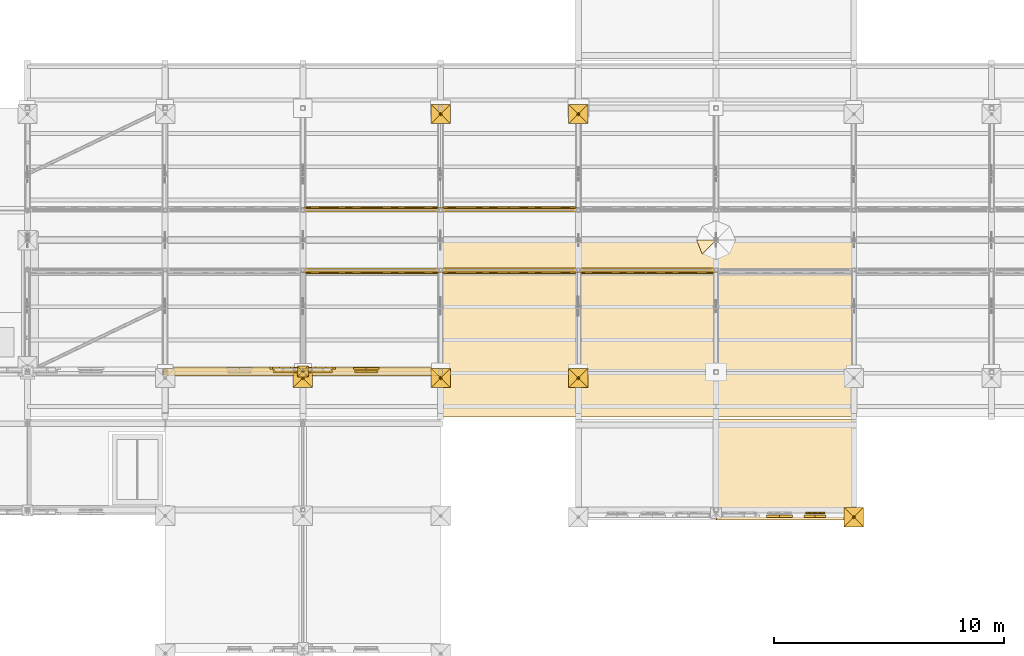
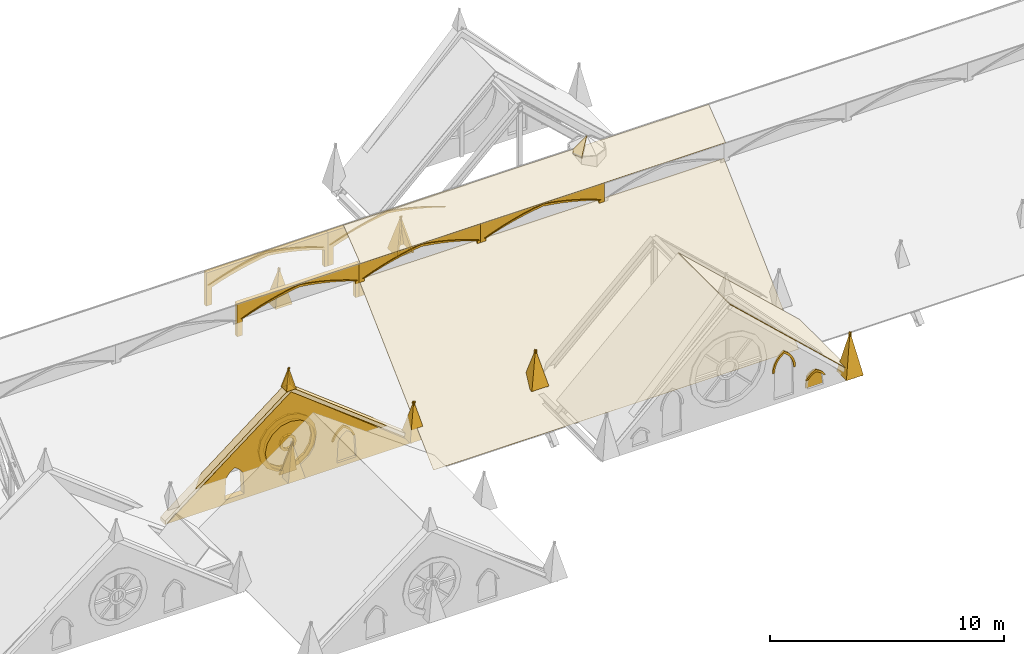
# One storey, part 29 of 33: 52 coverings.
"""IFC4 building model written with IfcOpenShell, lengths in metres."""

import ifcopenshell
import ifcopenshell.guid

model = None  # the IFC model being written
_history = None  # IfcOwnerHistory: only IFC2X3 demands one
_inside = {}  # id of a spatial element -> (the spatial element, [elements in it])
_under = {}  # id of a project, library or spatial element -> (it, [spatial elements below it])
_declared = {}  # id of a project -> (the project, [libraries it declares])
_typed = {}  # id of a type object -> (the type object, [elements of that type])
_made_of = {}  # id of a material, layer set ... -> (it, [elements and type objects made of it])


def new_model(schema):
    """Start an empty IFC model of exactly this schema.

    Asked for "IFC4X3", IfcOpenShell would pick the latest addendum, in which some entities
    have other attributes; the version numbers below select the first issue.
    IFC2X3 requires an IfcOwnerHistory on every rooted entity: one is made here for all.
    """
    global model, _history
    if schema == "IFC4X3":
        model = ifcopenshell.file(schema_version=(4, 3, 0, 0))
    else:
        model = ifcopenshell.file(schema=schema)
    _inside.clear()
    _under.clear()
    _declared.clear()
    _typed.clear()
    _made_of.clear()
    _history = None
    if model.schema == "IFC2X3":
        org = make("IfcOrganization", Name="unknown")
        user = make(
            "IfcPersonAndOrganization",
            ThePerson=make("IfcPerson", FamilyName="unknown"),
            TheOrganization=org,
        )
        app = make(
            "IfcApplication",
            ApplicationDeveloper=org,
            Version="unknown",
            ApplicationFullName="unknown",
            ApplicationIdentifier="unknown",
        )
        _history = make(
            "IfcOwnerHistory",
            OwningUser=user,
            OwningApplication=app,
            ChangeAction="ADDED",
            CreationDate=0,
        )
    return model


def make(cls, **values):
    """One entity of the class cls with the attributes given. An attribute that is None is left unset."""
    return model.create_entity(
        cls, **{name: value for name, value in values.items() if value is not None}
    )


def rooted(cls, **values):
    """An entity with a GlobalId (a new one), such as an element, a storey or a relation."""
    return make(cls, GlobalId=ifcopenshell.guid.new(), OwnerHistory=_history, **values)


def si_unit(unit_type, name, prefix=None):
    """IfcSIUnit, for example si_unit("LENGTHUNIT", "METRE", prefix="MILLI")."""
    return make("IfcSIUnit", UnitType=unit_type, Prefix=prefix, Name=name)


def assignment(units):
    """IfcUnitAssignment: the units of a project."""
    return None if units is None else make("IfcUnitAssignment", Units=units)


def point(xyz):
    """IfcCartesianPoint."""
    return None if xyz is None else make("IfcCartesianPoint", Coordinates=xyz)


def direction(xyz):
    """IfcDirection."""
    return None if xyz is None else make("IfcDirection", DirectionRatios=xyz)


def frame(location, z_axis=None, x_axis=None):
    """IfcAxis2Placement3D, a coordinate frame: its origin and axes. An axis left out is left unset."""
    return make(
        "IfcAxis2Placement3D",
        Location=point(location),
        Axis=direction(z_axis),
        RefDirection=direction(x_axis),
    )


def origin():
    """The frame at (0, 0, 0) with its axes left unset."""
    return frame((0.0, 0.0, 0.0))


def place(relative_to, where):
    """IfcLocalPlacement: puts the frame where relative to a parent placement (None: the world)."""
    return make(
        "IfcLocalPlacement", PlacementRelTo=relative_to, RelativePlacement=where
    )


def context(
    kind, dimensions, precision=None, world=None, true_north=None, identifier=None
):
    """IfcGeometricRepresentationContext, for example the 3D "Model" context."""
    return make(
        "IfcGeometricRepresentationContext",
        ContextIdentifier=identifier,
        ContextType=kind,
        CoordinateSpaceDimension=dimensions,
        Precision=precision,
        WorldCoordinateSystem=world,
        TrueNorth=true_north,
    )


def subcontext(parent, identifier, kind, view, scale=None):
    """IfcGeometricRepresentationSubContext, for example "Body" below "Model"."""
    return make(
        "IfcGeometricRepresentationSubContext",
        ContextIdentifier=identifier,
        ContextType=kind,
        ParentContext=parent,
        TargetScale=scale,
        TargetView=view,
    )


def project(units=None, contexts=None):
    """IfcProject with its units and contexts."""
    return rooted(
        "IfcProject",
        Name="project",
        RepresentationContexts=contexts,
        UnitsInContext=assignment(units),
    )


def spatial(cls, under=None, at=None, **own):
    """A site, building, storey or space (cls), placed at a placement, below another one or the project."""
    s = rooted(cls, ObjectPlacement=at, **own)
    if under is not None:
        _under.setdefault(under.id(), (under, []))[1].append(s)
    return s


def polyline(points):
    """IfcPolyline through the points."""
    return make("IfcPolyline", Points=[point(p) for p in points])


def outline(outer, holes=None, kind="AREA"):
    """IfcArbitraryClosedProfileDef: a profile drawn as a closed curve; with holes, ...WithVoids."""
    if holes is None:
        return make("IfcArbitraryClosedProfileDef", ProfileType=kind, OuterCurve=outer)
    return make(
        "IfcArbitraryProfileDefWithVoids",
        ProfileType=kind,
        OuterCurve=outer,
        InnerCurves=holes,
    )


def extrude(swept, where, along, depth):
    """IfcExtrudedAreaSolid: the profile swept, set in the frame where, extruded along a direction by depth."""
    return make(
        "IfcExtrudedAreaSolid",
        SweptArea=swept,
        Position=where,
        ExtrudedDirection=direction(along),
        Depth=depth,
    )


def shape(context_of_items, identifier, shape_type, items):
    """IfcShapeRepresentation: the items that make up one representation, for example the "Body"."""
    return make(
        "IfcShapeRepresentation",
        ContextOfItems=context_of_items,
        RepresentationIdentifier=identifier,
        RepresentationType=shape_type,
        Items=items,
    )


def material(Name=None, Category=None):
    """IfcMaterial."""
    return make("IfcMaterial", Name=Name, Category=Category)


def made_of(thing, what):
    """Note that an element or type object is made of a material, layer set ...; save() writes the relation."""
    if what is not None:
        _made_of.setdefault(what.id(), (what, []))[1].append(thing)
    return thing


def type_object(cls, material=None, **own):
    """A type object (cls), such as IfcWallType, which elements share."""
    return made_of(rooted(cls, **own), material)


def element(
    cls,
    number,
    at=None,
    inside=None,
    cuts=None,
    type_object=None,
    material=None,
    context=None,
    identifier="Body",
    shape_type=None,
    held_by="IfcProductDefinitionShape",
    body=None,
    shapes=None,
    **own,
):
    """One element of the class cls, such as IfcWall. Its Tag is "e" and its number.

    at: its placement. inside: the storey or other place that contains it. cuts: it is an
    opening in that element (IfcRelVoidsElement). A single representation is given by context,
    identifier, shape_type and body (its items); several are given by shapes. held_by: the class
    of the entity that holds the representations. save() writes the other relations.
    """
    e = rooted(cls, Tag="e%d" % number, ObjectPlacement=at, **own)
    if body is not None:
        shapes = [shape(context, identifier, shape_type, body)]
    if shapes is not None:
        e.Representation = make(held_by, Representations=shapes)
    if inside is not None:
        _inside.setdefault(inside.id(), (inside, []))[1].append(e)
    if cuts is not None:
        rooted(
            "IfcRelVoidsElement", RelatingBuildingElement=cuts, RelatedOpeningElement=e
        )
    if type_object is not None:
        _typed.setdefault(type_object.id(), (type_object, []))[1].append(e)
    return made_of(e, material)


def aggregate(whole, parts):
    """IfcRelAggregates: a whole, such as a stair, and the parts it consists of."""
    return rooted("IfcRelAggregates", RelatingObject=whole, RelatedObjects=parts)


def save(model, path):
    """Write the relations noted so far, then the file.

    IfcRelAggregates (storeys below a building ...), IfcRelContainedInSpatialStructure (elements
    in a storey), IfcRelDefinesByType, IfcRelAssociatesMaterial and IfcRelDeclares: one each for
    every whole, place, type object, material and project.
    """
    for whole, parts in _under.values():
        aggregate(whole, parts)
    for where, things in _inside.values():
        rooted(
            "IfcRelContainedInSpatialStructure",
            RelatedElements=things,
            RelatingStructure=where,
        )
    for kind, things in _typed.values():
        rooted("IfcRelDefinesByType", RelatedObjects=things, RelatingType=kind)
    for what, things in _made_of.values():
        rooted("IfcRelAssociatesMaterial", RelatedObjects=things, RelatingMaterial=what)
    for by, libraries in _declared.values():
        rooted("IfcRelDeclares", RelatingContext=by, RelatedDefinitions=libraries)
    model.write(path)


model = new_model("IFC4")

# Units and contexts
model_context = context("Model", 3, precision=1e-05, world=origin(), true_north=direction((0.0, 1.0)))
body_context = subcontext(model_context, "Body", "Model", "MODEL_VIEW")
ifc_project = project(units=[si_unit("LENGTHUNIT", "METRE"), si_unit("AREAUNIT", "SQUARE_METRE"), si_unit("VOLUMEUNIT", "CUBIC_METRE"), si_unit("PLANEANGLEUNIT", "RADIAN"), si_unit("MASSUNIT", "GRAM", prefix="KILO")], contexts=[model_context])

# Site, building, storey
site_placement = place(None, origin())
site = spatial("IfcSite", under=ifc_project, at=site_placement, CompositionType="ELEMENT")
building_placement = place(site_placement, origin())
building = spatial("IfcBuilding", under=site, at=building_placement, Name="Cumevento Cable Car Station", CompositionType="ELEMENT")
storey_placement = place(building_placement, frame((0.0, 0.0, 22.5)))
storey = spatial("IfcBuildingStorey", under=building, at=storey_placement, Name="RF", CompositionType="ELEMENT", Elevation=22.5)

# Coverings
ifc_material_1 = material(Name="Standing-Seam Zinc-Titanium Roof Sheet", Category="steel")
covering_type_1 = type_object("IfcCoveringType", Name="Standing-Seam Zinc Roofing CV-RF01", PredefinedType="ROOFING", material=ifc_material_1)
covering_1_placement = place(storey_placement, frame((82.0, 43.050048828125, -0.391845703125), z_axis=(0.0, -0.688352287595, 0.72537654233), x_axis=(1.0, 0.0, 0.0)))
element("IfcCovering", 1, at=covering_1_placement, inside=storey, type_object=covering_type_1, Name="Standing-Seam Zinc Roof Covering #5", PredefinedType="ROOFING", context=body_context, shape_type="SweptSolid", body=[
    extrude(outline(polyline([(0.0, 0.0), (18.0, 0.0), (18.0, 8.822869186243585), (0.0, 8.822869186243585), (0.0, 0.0)])), origin(), (0.0, 0.0, -1.0), 0.02587890625),
])
covering_2_placement = place(storey_placement, frame((82.0, 49.300048828125, 6.577880859375), z_axis=(0.0, -0.614798151706, 0.788684495004), x_axis=(1.0, 0.0, 0.0)))
element("IfcCovering", 2, at=covering_2_placement, inside=storey, type_object=covering_type_1, Name="Standing-Seam Zinc Roof Covering #7", PredefinedType="ROOFING", context=body_context, shape_type="SweptSolid", body=[
    extrude(outline(polyline([(0.0, 0.0), (18.0, 0.0), (18.0, 1.8322515131584596), (0.0, 1.8322515131584596), (0.0, 0.0)])), origin(), (0.0, 0.0, -1.0), 0.02587890625),
])
covering_3_placement = place(storey_placement, frame((94.014892578125, 42.949951171875, 6.784912109375), z_axis=(0.682004625705, 0.0, 0.731347858762), x_axis=(0.0, -1.0, 0.0)))
element("IfcCovering", 3, at=covering_3_placement, inside=storey, type_object=covering_type_1, Name="Standing-Seam Zinc Roof Covering #22", PredefinedType="ROOFING", context=body_context, shape_type="SweptSolid", body=[
    extrude(outline(polyline([(0.0, 0.0), (4.39990234375, 0.0), (4.39990234375, 8.183667115676975), (0.0, 8.183667115676975), (0.0, 0.0)])), origin(), (0.0, 0.0, -1.0), 0.02587890625),
])
ifc_material_2 = material(Name="Gnaisse Facoidal Stone Ashlar 85 MPa", Category="masonry")
covering_type_2 = type_object("IfcCoveringType", Name="Gnaisse Ashlar Cladding CV-CL01", PredefinedType="CLADDING", material=ifc_material_2)
for number, where, z_axis, x_axis, name in (
    (4, (75.580078125, 45.159912109375, 0.3701171875), (0.0, 0.973845107191, 0.227212911607), (1.0, 0.0, 0.0), "Gothic Buttress Pinnacle Spire Facet 1 bt:76.0:45.0"),
    (5, (76.419921875, 45.159912109375, 0.3701171875), (0.973845107191, 0.0, 0.227212911607), (0.0, -1.0, 0.0), "Gothic Buttress Pinnacle Spire Facet 2 bt:76.0:45.0"),
    (6, (76.419921875, 44.320068359375, 0.3701171875), (0.0, -0.973845107191, 0.227212911607), (-1.0, 0.0, 0.0), "Gothic Buttress Pinnacle Spire Facet 3 bt:76.0:45.0"),
    (7, (75.580078125, 44.320068359375, 0.3701171875), (-0.973845107191, 0.0, 0.227212911607), (0.0, 1.0, 0.0), "Gothic Buttress Pinnacle Spire Facet 4 bt:76.0:45.0"),
    (8, (81.580078125, 45.159912109375, 0.3701171875), (0.0, 0.973845107191, 0.227212911607), (1.0, 0.0, 0.0), "Gothic Buttress Pinnacle Spire Facet 1 bt:82.0:45.0"),
    (9, (82.419921875, 45.159912109375, 0.3701171875), (0.973845107191, 0.0, 0.227212911607), (0.0, -1.0, 0.0), "Gothic Buttress Pinnacle Spire Facet 2 bt:82.0:45.0"),
    (10, (82.419921875, 44.320068359375, 0.3701171875), (0.0, -0.973845107191, 0.227212911607), (-1.0, 0.0, 0.0), "Gothic Buttress Pinnacle Spire Facet 3 bt:82.0:45.0"),
    (11, (81.580078125, 44.320068359375, 0.3701171875), (-0.973845107191, 0.0, 0.227212911607), (0.0, 1.0, 0.0), "Gothic Buttress Pinnacle Spire Facet 4 bt:82.0:45.0"),
    (12, (81.580078125, 56.659912109375, 0.3701171875), (0.0, 0.973845107191, 0.227212911607), (1.0, 0.0, 0.0), "Gothic Buttress Pinnacle Spire Facet 1 bt:82.0:56.5"),
    (13, (82.419921875, 56.659912109375, 0.3701171875), (0.973845107191, 0.0, 0.227212911607), (0.0, -1.0, 0.0), "Gothic Buttress Pinnacle Spire Facet 2 bt:82.0:56.5"),
    (14, (82.419921875, 55.820068359375, 0.3701171875), (0.0, -0.973845107191, 0.227212911607), (-1.0, 0.0, 0.0), "Gothic Buttress Pinnacle Spire Facet 3 bt:82.0:56.5"),
    (15, (81.580078125, 55.820068359375, 0.3701171875), (-0.973845107191, 0.0, 0.227212911607), (0.0, 1.0, 0.0), "Gothic Buttress Pinnacle Spire Facet 4 bt:82.0:56.5"),
):
    element("IfcCovering", number, at=place(storey_placement, frame(where, z_axis=z_axis, x_axis=x_axis)), inside=storey, type_object=covering_type_2, Name=name, PredefinedType="CLADDING", context=body_context, shape_type="SweptSolid", body=[
        extrude(outline(polyline([(0.0, 0.0), (0.83984375, 0.0), (0.419921875, -1.848142660686801), (0.0, 0.0)])), origin(), (0.0, 0.0, -1.0), 0.0849609375),
    ])
for number, where, z_axis, x_axis, name in (
    (16, (87.580078125, 45.159912109375, 0.969970703125), (0.0, 0.973851925658, 0.227183685356), (1.0, 0.0, 0.0), "Gothic Buttress Pinnacle Spire Facet 1 bt:88.0:45.0"),
    (17, (88.419921875, 45.159912109375, 0.969970703125), (0.973851925658, 0.0, 0.227183685356), (0.0, -1.0, 0.0), "Gothic Buttress Pinnacle Spire Facet 2 bt:88.0:45.0"),
    (18, (88.419921875, 44.320068359375, 0.969970703125), (0.0, -0.973851925658, 0.227183685356), (-1.0, 0.0, 0.0), "Gothic Buttress Pinnacle Spire Facet 3 bt:88.0:45.0"),
    (19, (87.580078125, 44.320068359375, 0.969970703125), (-0.973851925658, 0.0, 0.227183685356), (0.0, 1.0, 0.0), "Gothic Buttress Pinnacle Spire Facet 4 bt:88.0:45.0"),
    (20, (87.580078125, 56.659912109375, 0.969970703125), (0.0, 0.973851925658, 0.227183685356), (1.0, 0.0, 0.0), "Gothic Buttress Pinnacle Spire Facet 1 bt:88.0:56.5"),
    (21, (88.419921875, 56.659912109375, 0.969970703125), (0.973851925658, 0.0, 0.227183685356), (0.0, -1.0, 0.0), "Gothic Buttress Pinnacle Spire Facet 2 bt:88.0:56.5"),
    (22, (88.419921875, 55.820068359375, 0.969970703125), (0.0, -0.973851925658, 0.227183685356), (-1.0, 0.0, 0.0), "Gothic Buttress Pinnacle Spire Facet 3 bt:88.0:56.5"),
    (23, (87.580078125, 55.820068359375, 0.969970703125), (-0.973851925658, 0.0, 0.227183685356), (0.0, 1.0, 0.0), "Gothic Buttress Pinnacle Spire Facet 4 bt:88.0:56.5"),
):
    element("IfcCovering", number, at=place(storey_placement, frame(where, z_axis=z_axis, x_axis=x_axis)), inside=storey, type_object=covering_type_2, Name=name, PredefinedType="CLADDING", context=body_context, shape_type="SweptSolid", body=[
        extrude(outline(polyline([(0.0, 0.0), (0.83984375, 0.0), (0.419921875, -1.84838041667231), (0.0, 0.0)])), origin(), (0.0, 0.0, -1.0), 0.0849609375),
    ])
covering_4_placement = place(storey_placement, frame((99.580078125, 39.10009765625, 1.010009765625), z_axis=(0.0, 0.981432810331, 0.191806253302), x_axis=(1.0, 0.0, 0.0)))
element("IfcCovering", 24, at=covering_4_placement, inside=storey, type_object=covering_type_2, Name="Gothic Buttress Pinnacle Spire Facet 1 ptl_butt_f:2:100", PredefinedType="CLADDING", context=body_context, shape_type="SweptSolid", body=[
    extrude(outline(polyline([(0.0, 0.0), (0.83984375, 0.0), (0.419921875, -2.190575168385676), (0.0, 0.0)])), origin(), (0.0, 0.0, -1.0), 0.0849609375),
])
covering_5_placement = place(storey_placement, frame((100.419921875, 39.10009765625, 1.010009765625), z_axis=(0.981453784896, 0.0, 0.191698899616), x_axis=(0.0, -1.0, 0.0)))
element("IfcCovering", 25, at=covering_5_placement, inside=storey, type_object=covering_type_2, Name="Gothic Buttress Pinnacle Spire Facet 2 ptl_butt_f:2:100", PredefinedType="CLADDING", context=body_context, shape_type="SweptSolid", body=[
    extrude(outline(polyline([(0.0, 0.0), (0.840087890625, 0.0), (0.420166015625, -2.1905283537916733), (0.0, 0.0)])), origin(), (0.0, 0.0, -1.0), 0.0849609375),
])
covering_6_placement = place(storey_placement, frame((100.419921875, 38.260009765625, 1.010009765625), z_axis=(0.0, -0.981453784896, 0.191698899616), x_axis=(-1.0, 0.0, 0.0)))
element("IfcCovering", 26, at=covering_6_placement, inside=storey, type_object=covering_type_2, Name="Gothic Buttress Pinnacle Spire Facet 3 ptl_butt_f:2:100", PredefinedType="CLADDING", context=body_context, shape_type="SweptSolid", body=[
    extrude(outline(polyline([(0.0, 0.0), (0.83984375, 0.0), (0.419921875, -2.1905283537916733), (0.0, 0.0)])), origin(), (0.0, 0.0, -1.0), 0.0849609375),
])
covering_7_placement = place(storey_placement, frame((99.580078125, 38.260009765625, 1.010009765625), z_axis=(-0.981453784896, 0.0, 0.191698899616), x_axis=(0.0, 1.0, 0.0)))
element("IfcCovering", 27, at=covering_7_placement, inside=storey, type_object=covering_type_2, Name="Gothic Buttress Pinnacle Spire Facet 4 ptl_butt_f:2:100", PredefinedType="CLADDING", context=body_context, shape_type="SweptSolid", body=[
    extrude(outline(polyline([(0.0, 0.0), (0.840087890625, 0.0), (0.419921875, -2.1905283537916733), (0.0, 0.0)])), origin(), (0.0, 0.0, -1.0), 0.0849609375),
])
placement_1 = place(storey_placement, frame((100.0, 39.0, 0.699951171875), z_axis=(0.0, 0.0, 1.0), x_axis=(-1.0, 0.0, 0.0)))
element("IfcCovering", 28, at=placement_1, inside=storey, type_object=covering_type_2, Name="Gothic Gable Recessed Tracery Backing ptl_canopy_gable:2 lancet_2", PredefinedType="CLADDING", context=body_context, shape_type="SweptSolid", body=[
    extrude(outline(polyline([(1.260009765625, 0.14990234375), (2.10009765625, 0.14990234375), (2.032470703125, 0.748779296875), (1.955322265625, 0.822509765625), (1.8701171875, 0.88671875), (1.778076171875, 0.9404296875), (1.679931640625, 0.982666015625), (1.58203125, 0.9404296875), (1.489990234375, 0.88671875), (1.40478515625, 0.822509765625), (1.32763671875, 0.748779296875), (1.260009765625, 0.14990234375)])), frame((0.0, 0.169921875, 0.0), z_axis=(0.0, -1.0, 0.0), x_axis=(1.0, 0.0, 0.0)), (0.0, 0.0, 1.0), 0.074951171875),
])
element("IfcCovering", 29, at=placement_1, inside=storey, type_object=covering_type_2, Name="Gable Lancet Stone Hood Moulding ptl_canopy_gable:2 #1", PredefinedType="CLADDING", context=body_context, shape_type="SweptSolid", body=[
    extrude(outline(polyline([(2.764892578125, 1.59716796875), (2.78564453125, 1.80224609375), (2.8466796875, 1.999267578125), (2.945556640625, 2.18017578125), (3.078369140625, 2.337646484375), (3.239990234375, 2.4658203125), (3.401611328125, 2.337646484375), (3.534423828125, 2.18017578125), (3.63330078125, 1.999267578125), (3.6943359375, 1.80224609375), (3.715087890625, 1.59716796875), (3.804931640625, 1.59716796875), (3.7802734375, 1.833740234375), (3.70751953125, 2.06005859375), (3.58935546875, 2.2666015625), (3.431396484375, 2.4443359375), (3.239990234375, 2.585693359375), (3.048583984375, 2.4443359375), (2.890625, 2.2666015625), (2.7724609375, 2.06005859375), (2.69970703125, 1.833740234375), (2.675048828125, 1.59716796875), (2.764892578125, 1.59716796875)])), frame((0.0, 0.324951171875, 0.0), z_axis=(0.0, -1.0, 0.0), x_axis=(1.0, 0.0, 0.0)), (0.0, 0.0, 1.0), 0.090087890625),
])
element("IfcCovering", 30, at=placement_1, inside=storey, type_object=covering_type_2, Name="Gable Lancet Stone Hood Moulding ptl_canopy_gable:2 #3", PredefinedType="CLADDING", context=body_context, shape_type="SweptSolid", body=[
    extrude(outline(polyline([(1.2900390625, 0.665283203125), (1.3525390625, 0.74267578125), (1.423828125, 0.81201171875), (1.5029296875, 0.872314453125), (1.5888671875, 0.9228515625), (1.679931640625, 0.962646484375), (1.771240234375, 0.9228515625), (1.857177734375, 0.872314453125), (1.936279296875, 0.81201171875), (2.007568359375, 0.74267578125), (2.070068359375, 0.665283203125), (2.159912109375, 0.665283203125), (2.087890625, 0.772705078125), (2.002197265625, 0.869873046875), (1.904541015625, 0.954833984375), (1.796630859375, 1.026123046875), (1.679931640625, 1.082763671875), (1.5634765625, 1.026123046875), (1.45556640625, 0.954833984375), (1.35791015625, 0.869873046875), (1.272216796875, 0.772705078125), (1.199951171875, 0.665283203125), (1.2900390625, 0.665283203125)])), frame((0.0, 0.324951171875, 0.0), z_axis=(0.0, -1.0, 0.0), x_axis=(1.0, 0.0, 0.0)), (0.0, 0.0, 1.0), 0.090087890625),
])
placement_2 = place(storey_placement, frame((70.0, 45.0, 0.0), z_axis=(0.0, 0.0, 1.0), x_axis=(1.0, 0.0, 0.0)))
element("IfcCovering", 31, at=placement_2, inside=storey, type_object=covering_type_2, Name="Gothic Stone Gable Tympanum wing_B_V2d_N", PredefinedType="CLADDING", context=body_context, shape_type="SweptSolid", body=[
    extrude(outline(polyline([(-0.080078125, -0.06005859375), (12.080078125, -0.06005859375), (6.0, 4.7099609375), (-0.080078125, -0.06005859375)]), holes=[polyline([(7.25, 1.898193359375), (7.155029296875, 2.376708984375), (6.884033203125, 2.7822265625), (6.478271484375, 3.05322265625), (6.0, 3.1484375), (5.521728515625, 3.05322265625), (5.115966796875, 2.7822265625), (4.844970703125, 2.376708984375), (4.75, 1.898193359375), (4.844970703125, 1.419921875), (5.115966796875, 1.014404296875), (5.521728515625, 0.743408203125), (6.0, 0.648193359375), (6.478271484375, 0.743408203125), (6.884033203125, 1.014404296875), (7.155029296875, 1.419921875), (7.25, 1.898193359375)]), polyline([(2.764892578125, 0.179931640625), (3.715087890625, 0.179931640625), (3.660400390625, 1.26611328125), (3.583251953125, 1.399169921875), (3.48583984375, 1.517822265625), (3.370361328125, 1.619140625), (3.239990234375, 1.700439453125), (3.109619140625, 1.619140625), (2.994140625, 1.517822265625), (2.896728515625, 1.399169921875), (2.819580078125, 1.26611328125), (2.764892578125, 0.179931640625)]), polyline([(8.284912109375, 0.179931640625), (9.235107421875, 0.179931640625), (9.180419921875, 1.26611328125), (9.103271484375, 1.399169921875), (9.005859375, 1.517822265625), (8.890380859375, 1.619140625), (8.760009765625, 1.700439453125), (8.629638671875, 1.619140625), (8.51416015625, 1.517822265625), (8.416748046875, 1.399169921875), (8.339599609375, 1.26611328125), (8.284912109375, 0.179931640625)])]), frame((0.0, 0.159912109375, 0.0), z_axis=(0.0, -1.0, 0.0), x_axis=(1.0, 0.0, 0.0)), (0.0, 0.0, 1.0), 0.300048828125),
])
element("IfcCovering", 32, at=placement_2, inside=storey, type_object=covering_type_2, Name="Gothic Gable Recessed Tracery Backing wing_B_V2d_N rose", PredefinedType="CLADDING", context=body_context, shape_type="SweptSolid", body=[
    extrude(outline(polyline([(7.2900390625, 1.898193359375), (7.19189453125, 2.39208984375), (6.912353515625, 2.810546875), (6.49365234375, 3.090087890625), (6.0, 3.1884765625), (5.50634765625, 3.090087890625), (5.087646484375, 2.810546875), (4.80810546875, 2.39208984375), (4.7099609375, 1.898193359375), (4.80810546875, 1.404541015625), (5.087646484375, 0.986083984375), (5.50634765625, 0.706298828125), (6.0, 0.608154296875), (6.49365234375, 0.706298828125), (6.912353515625, 0.986083984375), (7.19189453125, 1.404541015625), (7.2900390625, 1.898193359375)])), frame((0.0, 0.050048828125, 0.0), z_axis=(0.0, -1.0, 0.0), x_axis=(1.0, 0.0, 0.0)), (0.0, 0.0, 1.0), 0.074951171875),
])
element("IfcCovering", 33, at=placement_2, inside=storey, type_object=covering_type_2, Name="Gothic Gable Recessed Tracery Backing wing_B_V2d_N lancet_1", PredefinedType="CLADDING", context=body_context, shape_type="SweptSolid", body=[
    extrude(outline(polyline([(8.2548828125, 0.14990234375), (9.264892578125, 0.14990234375), (9.205078125, 1.2724609375), (9.122314453125, 1.409912109375), (9.0185546875, 1.5322265625), (8.89697265625, 1.63671875), (8.760009765625, 1.720458984375), (8.623046875, 1.63671875), (8.50146484375, 1.5322265625), (8.397705078125, 1.409912109375), (8.31494140625, 1.2724609375), (8.2548828125, 0.14990234375)])), frame((0.0, 0.050048828125, 0.0), z_axis=(0.0, -1.0, 0.0), x_axis=(1.0, 0.0, 0.0)), (0.0, 0.0, 1.0), 0.074951171875),
])
element("IfcCovering", 34, at=placement_2, inside=storey, type_object=covering_type_2, Name="Gothic 16-Sided Stone Rose Window Ring wing_B_V2d_N", PredefinedType="CLADDING", context=body_context, shape_type="SweptSolid", body=[
    extrude(outline(polyline([(7.43017578125, 1.898193359375), (7.3212890625, 2.445556640625), (7.01123046875, 2.909423828125), (6.54736328125, 3.219482421875), (6.0, 3.328369140625), (5.45263671875, 3.219482421875), (4.98876953125, 2.909423828125), (4.6787109375, 2.445556640625), (4.56982421875, 1.898193359375), (4.6787109375, 1.35107421875), (4.98876953125, 0.886962890625), (5.45263671875, 0.5771484375), (6.0, 0.46826171875), (6.54736328125, 0.5771484375), (7.01123046875, 0.886962890625), (7.3212890625, 1.35107421875), (7.43017578125, 1.898193359375)]), holes=[polyline([(7.18017578125, 1.898193359375), (7.09033203125, 2.349853515625), (6.83447265625, 2.732666015625), (6.45166015625, 2.988525390625), (6.0, 3.078369140625), (5.54833984375, 2.988525390625), (5.16552734375, 2.732666015625), (4.90966796875, 2.349853515625), (4.81982421875, 1.898193359375), (4.90966796875, 1.44677734375), (5.16552734375, 1.06396484375), (5.54833984375, 0.80810546875), (6.0, 0.71826171875), (6.45166015625, 0.80810546875), (6.83447265625, 1.06396484375), (7.09033203125, 1.44677734375), (7.18017578125, 1.898193359375)])]), frame((0.0, 0.215087890625, 0.0), z_axis=(0.0, -1.0, 0.0), x_axis=(1.0, 0.0, 0.0)), (0.0, 0.0, 1.0), 0.110107421875),
])
element("IfcCovering", 35, at=placement_2, inside=storey, type_object=covering_type_2, Name="Gothic Rose Central Stone Oculus Hub wing_B_V2d_N", PredefinedType="CLADDING", context=body_context, shape_type="SweptSolid", body=[
    extrude(outline(polyline([(6.405029296875, 1.898193359375), (6.350830078125, 2.100830078125), (6.202392578125, 2.2490234375), (6.0, 2.30322265625), (5.797607421875, 2.2490234375), (5.649169921875, 2.100830078125), (5.594970703125, 1.898193359375), (5.649169921875, 1.69580078125), (5.797607421875, 1.547607421875), (6.0, 1.493408203125), (6.202392578125, 1.547607421875), (6.350830078125, 1.69580078125), (6.405029296875, 1.898193359375)]), holes=[polyline([(6.284912109375, 1.898193359375), (6.246826171875, 2.040771484375), (6.142578125, 2.14501953125), (6.0, 2.183349609375), (5.857421875, 2.14501953125), (5.753173828125, 2.040771484375), (5.715087890625, 1.898193359375), (5.753173828125, 1.755859375), (5.857421875, 1.6513671875), (6.0, 1.61328125), (6.142578125, 1.6513671875), (6.246826171875, 1.755859375), (6.284912109375, 1.898193359375)])]), frame((0.0, 0.18994140625, 0.0), z_axis=(0.0, -1.0, 0.0), x_axis=(1.0, 0.0, 0.0)), (0.0, 0.0, 1.0), 0.139892578125),
])
element("IfcCovering", 36, at=placement_2, inside=storey, type_object=covering_type_2, Name="Gable Lancet Stone Hood Moulding wing_B_V2d_N #2", PredefinedType="CLADDING", context=body_context, shape_type="SweptSolid", body=[
    extrude(outline(polyline([(8.284912109375, 1.12255859375), (8.339599609375, 1.26611328125), (8.416748046875, 1.399169921875), (8.51416015625, 1.517822265625), (8.629638671875, 1.619140625), (8.760009765625, 1.700439453125), (8.890380859375, 1.619140625), (9.005859375, 1.517822265625), (9.103271484375, 1.399169921875), (9.180419921875, 1.26611328125), (9.235107421875, 1.12255859375), (9.324951171875, 1.12255859375), (9.26123046875, 1.295654296875), (9.170166015625, 1.4560546875), (9.053955078125, 1.599365234375), (8.916015625, 1.721923828125), (8.760009765625, 1.8203125), (8.60400390625, 1.721923828125), (8.466064453125, 1.599365234375), (8.349853515625, 1.4560546875), (8.2587890625, 1.295654296875), (8.195068359375, 1.12255859375), (8.284912109375, 1.12255859375)])), frame((0.0, 0.205078125, 0.0), z_axis=(0.0, -1.0, 0.0), x_axis=(1.0, 0.0, 0.0)), (0.0, 0.0, 1.0), 0.090087890625),
])
element("IfcCovering", 37, at=placement_2, inside=storey, type_object=covering_type_2, Name="Raking Gothic Stone Gable Coping wing_B_V2d_N", PredefinedType="CLADDING", context=body_context, shape_type="SweptSolid", body=[
    extrude(outline(polyline([(-0.199951171875, -0.06005859375), (6.0, 4.7099609375), (12.199951171875, -0.06005859375), (12.199951171875, 0.139892578125), (6.0, 4.949951171875), (-0.199951171875, 0.139892578125), (-0.199951171875, -0.06005859375)])), frame((0.0, 0.219970703125, 0.0), z_axis=(0.0, -1.0, 0.0), x_axis=(1.0, 0.0, 0.0)), (0.0, 0.0, 1.0), 0.39990234375),
])
for number, where, z_axis, x_axis, name in (
    (38, (75.760009765625, 44.7900390625, 4.81005859375), (0.0, -0.97486272659, 0.222806338116), (1.0, 0.0, 0.0), "Gothic Gable Finial Spire Facet 1 wing_B_V2d_N"),
    (39, (76.239990234375, 44.7900390625, 4.81005859375), (0.97486272659, 0.0, 0.222806338116), (0.0, 1.0, 0.0), "Gothic Gable Finial Spire Facet 2 wing_B_V2d_N"),
    (40, (76.239990234375, 45.27001953125, 4.81005859375), (0.0, 0.97486272659, 0.222806338116), (-1.0, 0.0, 0.0), "Gothic Gable Finial Spire Facet 3 wing_B_V2d_N"),
    (41, (75.760009765625, 45.27001953125, 4.81005859375), (-0.97486272659, 0.0, 0.222806338116), (0.0, -1.0, 0.0), "Gothic Gable Finial Spire Facet 4 wing_B_V2d_N"),
):
    element("IfcCovering", number, at=place(storey_placement, frame(where, z_axis=z_axis, x_axis=x_axis)), inside=storey, type_object=covering_type_2, Name=name, PredefinedType="CLADDING", context=body_context, shape_type="SweptSolid", body=[
        extrude(outline(polyline([(0.0, 0.0), (0.47998046875, 0.0), (0.239990234375, 1.0771248089437238), (0.0, 0.0)])), origin(), (0.0, 0.0, -1.0), 0.06494140625),
    ])
covering_18_placement = place(storey_placement, frame((82.0, 49.449951171875, 4.85009765625), z_axis=(0.0, 0.0, 1.0), x_axis=(-1.0, 0.0, 0.0)))
element("IfcCovering", 42, at=covering_18_placement, inside=storey, type_object=covering_type_2, Name="Gothic Ogival Pointed-Arch Stone Spandrel bh_lantern_arc:S:2", PredefinedType="CLADDING", context=body_context, shape_type="SweptSolid", body=[
    extrude(outline(polyline([(-0.050048828125, 0.0), (-0.050048828125, 1.72998046875), (6.050048828125, 1.72998046875), (6.050048828125, 0.0), (5.780029296875, 0.0), (5.780029296875, 0.89990234375), (5.327880859375, 1.0537109375), (4.870361328125, 1.190185546875), (4.408203125, 1.310546875), (3.942138671875, 1.414306640625), (3.472412109375, 1.50048828125), (3.0, 1.56982421875), (2.527587890625, 1.50048828125), (2.057861328125, 1.414306640625), (1.591796875, 1.310546875), (1.129638671875, 1.190185546875), (0.672119140625, 1.0537109375), (0.219970703125, 0.89990234375), (0.219970703125, 0.0), (-0.050048828125, 0.0)])), frame((0.0, 0.1201171875, 0.0), z_axis=(0.0, -1.0, 0.0), x_axis=(1.0, 0.0, 0.0)), (0.0, 0.0, 1.0), 0.199951171875),
])
covering_19_placement = place(storey_placement, frame((82.0, 49.449951171875, 5.75), z_axis=(0.0, 0.0, 1.0), x_axis=(-1.0, 0.0, 0.0)))
element("IfcCovering", 43, at=covering_19_placement, inside=storey, type_object=covering_type_2, Name="Gothic Pointed Archivolt Hood Moulding bh_lantern_arc:S:2", PredefinedType="CLADDING", context=body_context, shape_type="SweptSolid", body=[
    extrude(outline(polyline([(0.219970703125, 0.0), (0.672119140625, 0.153564453125), (1.129638671875, 0.290283203125), (1.591796875, 0.41064453125), (2.057861328125, 0.51416015625), (2.527587890625, 0.6005859375), (3.0, 0.669921875), (3.472412109375, 0.6005859375), (3.942138671875, 0.51416015625), (4.408203125, 0.41064453125), (4.870361328125, 0.290283203125), (5.327880859375, 0.153564453125), (5.780029296875, 0.0), (5.867919921875, 0.0), (5.404541015625, 0.17822265625), (4.934326171875, 0.337646484375), (4.457763671875, 0.477783203125), (3.97607421875, 0.59814453125), (3.489990234375, 0.698974609375), (3.0, 0.780029296875), (2.510009765625, 0.698974609375), (2.02392578125, 0.59814453125), (1.542236328125, 0.477783203125), (1.065673828125, 0.337646484375), (0.595458984375, 0.17822265625), (0.132080078125, 0.0), (0.219970703125, 0.0)])), frame((0.0, 0.162109375, 0.0), z_axis=(0.0, -1.0, 0.0), x_axis=(1.0, 0.0, 0.0)), (0.0, 0.0, 1.0), 0.06689453125),
])
covering_20_placement = place(storey_placement, frame((88.0, 49.449951171875, 4.85009765625), z_axis=(0.0, 0.0, 1.0), x_axis=(-1.0, 0.0, 0.0)))
element("IfcCovering", 44, at=covering_20_placement, inside=storey, type_object=covering_type_2, Name="Gothic Ogival Pointed-Arch Stone Spandrel bh_lantern_arc:S:3", PredefinedType="CLADDING", context=body_context, shape_type="SweptSolid", body=[
    extrude(outline(polyline([(-0.050048828125, 0.0), (-0.050048828125, 1.72998046875), (6.050048828125, 1.72998046875), (6.050048828125, 0.0), (5.780029296875, 0.0), (5.780029296875, 0.89990234375), (5.327880859375, 1.0537109375), (4.870361328125, 1.190185546875), (4.408203125, 1.310546875), (3.942138671875, 1.414306640625), (3.472412109375, 1.50048828125), (3.0, 1.56982421875), (2.527587890625, 1.50048828125), (2.057861328125, 1.414306640625), (1.591796875, 1.310546875), (1.129638671875, 1.190185546875), (0.672119140625, 1.0537109375), (0.219970703125, 0.89990234375), (0.219970703125, 0.0), (-0.050048828125, 0.0)])), frame((0.0, 0.1201171875, 0.0), z_axis=(0.0, -1.0, 0.0), x_axis=(1.0, 0.0, 0.0)), (0.0, 0.0, 1.0), 0.199951171875),
])
covering_21_placement = place(storey_placement, frame((88.0, 49.449951171875, 5.75), z_axis=(0.0, 0.0, 1.0), x_axis=(-1.0, 0.0, 0.0)))
element("IfcCovering", 45, at=covering_21_placement, inside=storey, type_object=covering_type_2, Name="Gothic Pointed Archivolt Hood Moulding bh_lantern_arc:S:3", PredefinedType="CLADDING", context=body_context, shape_type="SweptSolid", body=[
    extrude(outline(polyline([(0.219970703125, 0.0), (0.672119140625, 0.153564453125), (1.129638671875, 0.290283203125), (1.591796875, 0.41064453125), (2.057861328125, 0.51416015625), (2.527587890625, 0.6005859375), (3.0, 0.669921875), (3.472412109375, 0.6005859375), (3.942138671875, 0.51416015625), (4.408203125, 0.41064453125), (4.870361328125, 0.290283203125), (5.327880859375, 0.153564453125), (5.780029296875, 0.0), (5.867919921875, 0.0), (5.404541015625, 0.17822265625), (4.934326171875, 0.337646484375), (4.457763671875, 0.477783203125), (3.97607421875, 0.59814453125), (3.489990234375, 0.698974609375), (3.0, 0.780029296875), (2.510009765625, 0.698974609375), (2.02392578125, 0.59814453125), (1.542236328125, 0.477783203125), (1.065673828125, 0.337646484375), (0.595458984375, 0.17822265625), (0.132080078125, 0.0), (0.219970703125, 0.0)])), frame((0.0, 0.162109375, 0.0), z_axis=(0.0, -1.0, 0.0), x_axis=(1.0, 0.0, 0.0)), (0.0, 0.0, 1.0), 0.06689453125),
])
covering_22_placement = place(storey_placement, frame((94.0, 49.449951171875, 4.85009765625), z_axis=(0.0, 0.0, 1.0), x_axis=(-1.0, 0.0, 0.0)))
element("IfcCovering", 46, at=covering_22_placement, inside=storey, type_object=covering_type_2, Name="Gothic Ogival Pointed-Arch Stone Spandrel bh_lantern_arc:S:4", PredefinedType="CLADDING", context=body_context, shape_type="SweptSolid", body=[
    extrude(outline(polyline([(-0.050048828125, 0.0), (-0.050048828125, 1.72998046875), (6.050048828125, 1.72998046875), (6.050048828125, 0.0), (5.780029296875, 0.0), (5.780029296875, 0.89990234375), (5.327880859375, 1.0537109375), (4.870361328125, 1.190185546875), (4.408203125, 1.310546875), (3.942138671875, 1.414306640625), (3.472412109375, 1.50048828125), (3.0, 1.56982421875), (2.527587890625, 1.50048828125), (2.057861328125, 1.414306640625), (1.591796875, 1.310546875), (1.129638671875, 1.190185546875), (0.672119140625, 1.0537109375), (0.219970703125, 0.89990234375), (0.219970703125, 0.0), (-0.050048828125, 0.0)])), frame((0.0, 0.1201171875, 0.0), z_axis=(0.0, -1.0, 0.0), x_axis=(1.0, 0.0, 0.0)), (0.0, 0.0, 1.0), 0.199951171875),
])
covering_23_placement = place(storey_placement, frame((94.0, 49.449951171875, 5.75), z_axis=(0.0, 0.0, 1.0), x_axis=(-1.0, 0.0, 0.0)))
element("IfcCovering", 47, at=covering_23_placement, inside=storey, type_object=covering_type_2, Name="Gothic Pointed Archivolt Hood Moulding bh_lantern_arc:S:4", PredefinedType="CLADDING", context=body_context, shape_type="SweptSolid", body=[
    extrude(outline(polyline([(0.219970703125, 0.0), (0.672119140625, 0.153564453125), (1.129638671875, 0.290283203125), (1.591796875, 0.41064453125), (2.057861328125, 0.51416015625), (2.527587890625, 0.6005859375), (3.0, 0.669921875), (3.472412109375, 0.6005859375), (3.942138671875, 0.51416015625), (4.408203125, 0.41064453125), (4.870361328125, 0.290283203125), (5.327880859375, 0.153564453125), (5.780029296875, 0.0), (5.867919921875, 0.0), (5.404541015625, 0.17822265625), (4.934326171875, 0.337646484375), (4.457763671875, 0.477783203125), (3.97607421875, 0.59814453125), (3.489990234375, 0.698974609375), (3.0, 0.780029296875), (2.510009765625, 0.698974609375), (2.02392578125, 0.59814453125), (1.542236328125, 0.477783203125), (1.065673828125, 0.337646484375), (0.595458984375, 0.17822265625), (0.132080078125, 0.0), (0.219970703125, 0.0)])), frame((0.0, 0.162109375, 0.0), z_axis=(0.0, -1.0, 0.0), x_axis=(1.0, 0.0, 0.0)), (0.0, 0.0, 1.0), 0.06689453125),
])
covering_24_placement = place(storey_placement, frame((76.0, 52.050048828125, 4.85009765625), z_axis=(0.0, 0.0, 1.0), x_axis=(1.0, 0.0, 0.0)))
element("IfcCovering", 48, at=covering_24_placement, inside=storey, type_object=covering_type_2, Name="Gothic Ogival Pointed-Arch Stone Spandrel bh_lantern_arc:N:2", PredefinedType="CLADDING", context=body_context, shape_type="SweptSolid", body=[
    extrude(outline(polyline([(-0.050048828125, 0.0), (-0.050048828125, 1.72998046875), (6.050048828125, 1.72998046875), (6.050048828125, 0.0), (5.780029296875, 0.0), (5.780029296875, 0.89990234375), (5.327880859375, 1.0537109375), (4.870361328125, 1.190185546875), (4.408203125, 1.310546875), (3.942138671875, 1.414306640625), (3.472412109375, 1.50048828125), (3.0, 1.56982421875), (2.527587890625, 1.50048828125), (2.057861328125, 1.414306640625), (1.591796875, 1.310546875), (1.129638671875, 1.190185546875), (0.672119140625, 1.0537109375), (0.219970703125, 0.89990234375), (0.219970703125, 0.0), (-0.050048828125, 0.0)])), frame((0.0, 0.1201171875, 0.0), z_axis=(0.0, -1.0, 0.0), x_axis=(1.0, 0.0, 0.0)), (0.0, 0.0, 1.0), 0.199951171875),
])
covering_25_placement = place(storey_placement, frame((76.0, 52.050048828125, 5.75), z_axis=(0.0, 0.0, 1.0), x_axis=(1.0, 0.0, 0.0)))
element("IfcCovering", 49, at=covering_25_placement, inside=storey, type_object=covering_type_2, Name="Gothic Pointed Archivolt Hood Moulding bh_lantern_arc:N:2", PredefinedType="CLADDING", context=body_context, shape_type="SweptSolid", body=[
    extrude(outline(polyline([(0.219970703125, 0.0), (0.672119140625, 0.153564453125), (1.129638671875, 0.290283203125), (1.591796875, 0.41064453125), (2.057861328125, 0.51416015625), (2.527587890625, 0.6005859375), (3.0, 0.669921875), (3.472412109375, 0.6005859375), (3.942138671875, 0.51416015625), (4.408203125, 0.41064453125), (4.870361328125, 0.290283203125), (5.327880859375, 0.153564453125), (5.780029296875, 0.0), (5.867919921875, 0.0), (5.404541015625, 0.17822265625), (4.934326171875, 0.337646484375), (4.457763671875, 0.477783203125), (3.97607421875, 0.59814453125), (3.489990234375, 0.698974609375), (3.0, 0.780029296875), (2.510009765625, 0.698974609375), (2.02392578125, 0.59814453125), (1.542236328125, 0.477783203125), (1.065673828125, 0.337646484375), (0.595458984375, 0.17822265625), (0.132080078125, 0.0), (0.219970703125, 0.0)])), frame((0.0, 0.162109375, 0.0), z_axis=(0.0, -1.0, 0.0), x_axis=(1.0, 0.0, 0.0)), (0.0, 0.0, 1.0), 0.06689453125),
])
covering_26_placement = place(storey_placement, frame((82.0, 52.050048828125, 4.85009765625), z_axis=(0.0, 0.0, 1.0), x_axis=(1.0, 0.0, 0.0)))
element("IfcCovering", 50, at=covering_26_placement, inside=storey, type_object=covering_type_2, Name="Gothic Ogival Pointed-Arch Stone Spandrel bh_lantern_arc:N:3", PredefinedType="CLADDING", context=body_context, shape_type="SweptSolid", body=[
    extrude(outline(polyline([(-0.050048828125, 0.0), (-0.050048828125, 1.72998046875), (6.050048828125, 1.72998046875), (6.050048828125, 0.0), (5.780029296875, 0.0), (5.780029296875, 0.89990234375), (5.327880859375, 1.0537109375), (4.870361328125, 1.190185546875), (4.408203125, 1.310546875), (3.942138671875, 1.414306640625), (3.472412109375, 1.50048828125), (3.0, 1.56982421875), (2.527587890625, 1.50048828125), (2.057861328125, 1.414306640625), (1.591796875, 1.310546875), (1.129638671875, 1.190185546875), (0.672119140625, 1.0537109375), (0.219970703125, 0.89990234375), (0.219970703125, 0.0), (-0.050048828125, 0.0)])), frame((0.0, 0.1201171875, 0.0), z_axis=(0.0, -1.0, 0.0), x_axis=(1.0, 0.0, 0.0)), (0.0, 0.0, 1.0), 0.199951171875),
])
covering_27_placement = place(storey_placement, frame((82.0, 52.050048828125, 5.75), z_axis=(0.0, 0.0, 1.0), x_axis=(1.0, 0.0, 0.0)))
element("IfcCovering", 51, at=covering_27_placement, inside=storey, type_object=covering_type_2, Name="Gothic Pointed Archivolt Hood Moulding bh_lantern_arc:N:3", PredefinedType="CLADDING", context=body_context, shape_type="SweptSolid", body=[
    extrude(outline(polyline([(0.219970703125, 0.0), (0.672119140625, 0.153564453125), (1.129638671875, 0.290283203125), (1.591796875, 0.41064453125), (2.057861328125, 0.51416015625), (2.527587890625, 0.6005859375), (3.0, 0.669921875), (3.472412109375, 0.6005859375), (3.942138671875, 0.51416015625), (4.408203125, 0.41064453125), (4.870361328125, 0.290283203125), (5.327880859375, 0.153564453125), (5.780029296875, 0.0), (5.867919921875, 0.0), (5.404541015625, 0.17822265625), (4.934326171875, 0.337646484375), (4.457763671875, 0.477783203125), (3.97607421875, 0.59814453125), (3.489990234375, 0.698974609375), (3.0, 0.780029296875), (2.510009765625, 0.698974609375), (2.02392578125, 0.59814453125), (1.542236328125, 0.477783203125), (1.065673828125, 0.337646484375), (0.595458984375, 0.17822265625), (0.132080078125, 0.0), (0.219970703125, 0.0)])), frame((0.0, 0.162109375, 0.0), z_axis=(0.0, -1.0, 0.0), x_axis=(1.0, 0.0, 0.0)), (0.0, 0.0, 1.0), 0.06689453125),
])
covering_28_placement = place(storey_placement, frame((93.14990234375, 50.75, 7.580078125), z_axis=(-0.560769647229, -0.232325361565, 0.794708958751), x_axis=(0.382749478474, -0.923852172551, 0.0)))
element("IfcCovering", 52, at=covering_28_placement, inside=storey, type_object=covering_type_2, Name="Boarding Hall Central Flèche Spire #5", PredefinedType="CLADDING", context=body_context, shape_type="SweptSolid", body=[
    extrude(outline(polyline([(0.0, 0.0), (0.6506173136877309, 0.0), (0.32537443458148235, 0.9882417430417498), (0.0, 0.0)])), origin(), (0.0, 0.0, -1.0), 0.06494140625),
])

save(model, "model.ifc")
